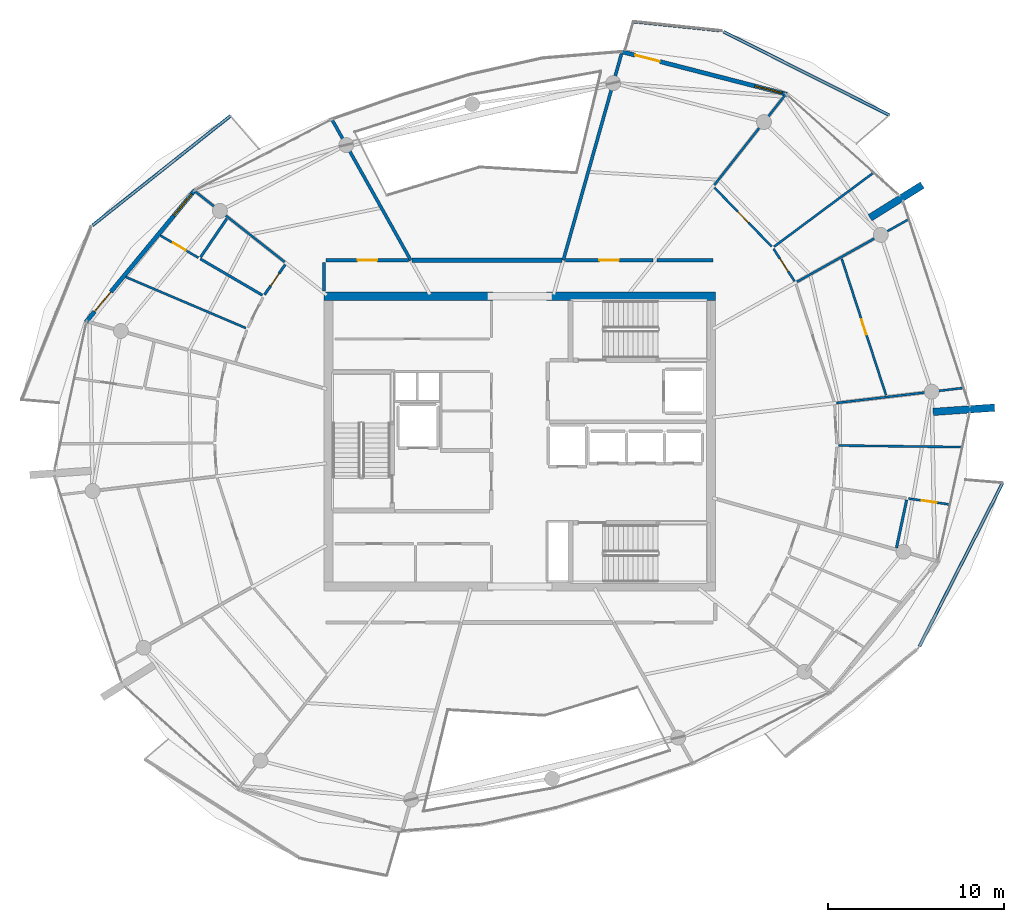
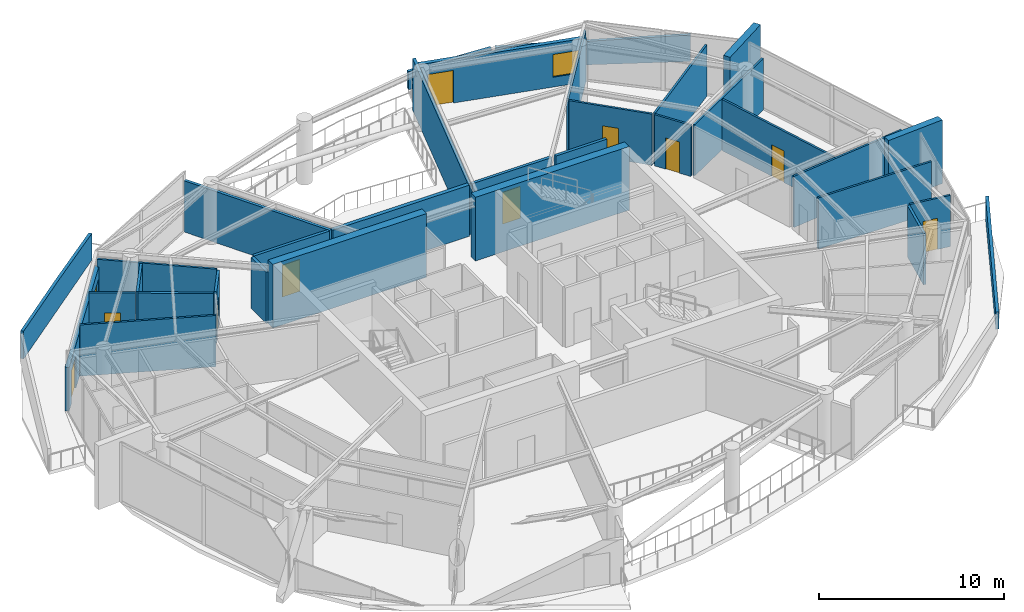
# One storey, part 16 of 22: 33 walls, 10 doors, 2 windows, 12 openings.
"""IFC4 building model written with IfcOpenShell, lengths in metres."""

from ifc_helpers import new_model, si_unit, direction, frame, frame_2d, origin, place, context, subcontext, project, spatial, polyline, rectangle, outline, extrude, material, layer, layer_set, type_object, element, fill, save


model = new_model("IFC4")

# Units and contexts
model_context = context("Model", 3, precision=1e-05, world=origin(), true_north=direction((0.0, 1.0)))
body_context = subcontext(model_context, "Body", "Model", "MODEL_VIEW")
ifc_project = project(units=[si_unit("LENGTHUNIT", "METRE"), si_unit("AREAUNIT", "SQUARE_METRE"), si_unit("VOLUMEUNIT", "CUBIC_METRE"), si_unit("PLANEANGLEUNIT", "RADIAN"), si_unit("MASSUNIT", "GRAM", prefix="KILO")], contexts=[model_context])

# Site, building, storey
site_placement = place(None, origin())
site = spatial("IfcSite", under=ifc_project, at=site_placement, CompositionType="ELEMENT")
building_placement = place(site_placement, origin())
building = spatial("IfcBuilding", under=site, at=building_placement, Name="Kazma Halo Residences", CompositionType="ELEMENT")
storey_placement = place(building_placement, frame((0.0, 0.0, 330.5)))
storey = spatial("IfcBuildingStorey", under=building, at=storey_placement, Name="L83", CompositionType="ELEMENT", Elevation=330.5)

# Walls
ifc_material_1 = material(Name="White Concrete C50/60 Balustrade", Category="concrete")
ifc_layer_1 = layer(ifc_material_1, 0.179931640625)
ifc_layer_set_1 = layer_set([ifc_layer_1], Name="White Concrete C50/60 Balustrade")
wall_type_1 = type_object("IfcWallType", Name="WL-BAL-WAVE-180", PredefinedType="PARAPET", material=ifc_layer_set_1)
wall_1_placement = place(storey_placement, frame((69.452880859375, 60.550537109375, 0.0), z_axis=(0.0, 0.0, 1.0), x_axis=(-0.893288240785, 0.449484281009, 0.0)))
element("IfcWall", 1, at=wall_1_placement, inside=storey, type_object=wall_type_1, Name="L83 white wave balustrade wall NE.1", PredefinedType="PARAPET", context=body_context, shape_type="SweptSolid", body=[
    extrude(outline(polyline([(0.0, 0.0), (10.572998046875, 0.0), (10.572998046875, 1.347900390625), (5.28662109375, 1.56201171875), (0.0, 1.7470703125), (0.0, 0.0)])), frame((0.0, 0.08984375, 0.0), z_axis=(0.0, -1.0, 0.0), x_axis=(1.0, 0.0, 0.0)), (0.0, 0.0, 1.0), 0.179931640625),
])
wall_2_placement = place(storey_placement, frame((59.781494140625, 65.369140625, 0.0), z_axis=(0.0, 0.0, 1.0), x_axis=(-0.994708430161, 0.102738205971, 0.0)))
element("IfcWall", 2, at=wall_2_placement, inside=storey, type_object=wall_type_1, Name="L83 white wave balustrade wall NE.2", PredefinedType="PARAPET", context=body_context, shape_type="SweptSolid", body=[
    extrude(outline(polyline([(0.0, 0.0), (4.916748046875, 0.0), (4.91650390625, 1.18603515625), (0.0, 1.347900390625), (0.0, 0.0)])), frame((0.0, 0.08984375, 0.0), z_axis=(0.0, -1.0, 0.0), x_axis=(1.0, 0.0, 0.0)), (0.0, 0.0, 1.0), 0.179931640625),
])
wall_3_placement = place(storey_placement, frame((31.988037109375, 60.517333984375, 0.0), z_axis=(0.0, 0.0, 1.0), x_axis=(-0.78337055778, -0.621554960727, 0.0)))
element("IfcWall", 3, at=wall_3_placement, inside=storey, type_object=wall_type_1, Name="L83 white wave balustrade wall NW.1", PredefinedType="PARAPET", context=body_context, shape_type="SweptSolid", body=[
    extrude(outline(polyline([(0.0, 0.0), (10.02880859375, 0.0), (10.02880859375, 1.83203125), (5.014404296875, 1.85302734375), (0.0, 1.756103515625), (0.0, 0.0)])), frame((0.0, 0.08984375, 0.0), z_axis=(0.0, -1.0, 0.0), x_axis=(1.0, 0.0, 0.0)), (0.0, 0.0, 1.0), 0.179931640625),
])
wall_4_placement = place(storey_placement, frame((71.160400390625, 30.333984375, 0.0), z_axis=(0.0, 0.0, 1.0), x_axis=(0.453352558269, 0.891331284041, 0.0)))
element("IfcWall", 4, at=wall_4_placement, inside=storey, type_object=wall_type_1, Name="L83 white wave balustrade wall SE.2", PredefinedType="PARAPET", context=body_context, shape_type="SweptSolid", body=[
    extrude(outline(polyline([(0.0, 0.0), (10.433349609375, 0.0), (10.433349609375, 1.48291015625), (5.216552734375, 1.283935546875), (0.0, 1.14794921875), (0.0, 0.0)])), frame((0.0, 0.08984375, 0.0), z_axis=(0.0, -1.0, 0.0), x_axis=(1.0, 0.0, 0.0)), (0.0, 0.0, 1.0), 0.179931640625),
])
ifc_material_2 = material(Name="Pale Concrete C60/75", Category="concrete")
ifc_layer_2 = layer(ifc_material_2, 0.419921875)
ifc_layer_set_2 = layer_set([ifc_layer_2], Name="Pale Concrete C60/75")
wall_type_2 = type_object("IfcWallType", Name="WL-BLADE-420", PredefinedType="SOLIDWALL", material=ifc_layer_set_2)
for number, where, z_axis, x_axis, name in (
    (5, (68.3525390625, 54.7177734375, 0.0), (0.0, 0.0, 1.0), (0.848053161125, 0.529911158502, 0.0), "L83 pale concrete structural blade fin wall BW-01"),
    (6, (71.94091796875, 43.674072265625, 0.0), (0.0, 0.0, 1.0), (0.997564163539, 0.069754853754, 0.0), "L83 pale concrete structural blade fin wall BW-04"),
):
    element("IfcWall", number, at=place(storey_placement, frame(where, z_axis=z_axis, x_axis=x_axis)), inside=storey, type_object=wall_type_2, Name=name, PredefinedType="SOLIDWALL", context=body_context, shape_type="SweptSolid", body=[
        extrude(rectangle(XDim=3.5, YDim=0.419921875, at=frame_2d((1.75, 0.0))), origin(), (0.0, 0.0, 1.0), 4.199951171875),
    ])
ifc_material_3 = material(Name="Concrete C60/75", Category="concrete")
ifc_layer_3 = layer(ifc_material_3, 0.5)
ifc_layer_set_3 = layer_set([ifc_layer_3], Name="Concrete C60/75")
wall_type_3 = type_object("IfcWallType", Name="WL-CORE-500", PredefinedType="SHEAR", material=ifc_layer_set_3)
wall_5_placement = place(storey_placement, frame((37.300048828125, 50.25, 0.0), z_axis=(0.0, 0.0, 1.0), x_axis=(1.0, 0.0, 0.0)))
element("IfcWall", 7, at=wall_5_placement, inside=storey, type_object=wall_type_3, Name="L83 central core shear wall NW", PredefinedType="SHEAR", context=body_context, shape_type="SweptSolid", body=[
    extrude(rectangle(XDim=9.599853515625, YDim=0.5, at=frame_2d((4.7998046875, 0.0))), origin(), (0.0, 0.0, 1.0), 4.199951171875),
])
wall_6_placement = place(storey_placement, frame((49.949951171875, 50.25, 0.0), z_axis=(0.0, 0.0, 1.0), x_axis=(1.0, 0.0, 0.0)))
element("IfcWall", 8, at=wall_6_placement, inside=storey, type_object=wall_type_3, Name="L83 central core shear wall NE", PredefinedType="SHEAR", context=body_context, shape_type="SweptSolid", body=[
    extrude(rectangle(XDim=9.60009765625, YDim=0.5, at=frame_2d((4.800048828125, 0.0))), origin(), (0.0, 0.0, 1.0), 4.199951171875),
])
ifc_material_4 = material(Name="Acoustic Twin-Stud Gypsum")
ifc_layer_4 = layer(ifc_material_4, 0.179931640625)
ifc_layer_set_4 = layer_set([ifc_layer_4], Name="Acoustic Twin-Stud Gypsum")
wall_type_4 = type_object("IfcWallType", Name="WL-DEM-180", PredefinedType="PARTITIONING", material=ifc_layer_set_4)
wall_7_placement = place(storey_placement, frame((50.90478515625, 52.300048828125, 0.0), z_axis=(0.0, 0.0, 1.0), x_axis=(0.271453030279, 0.962451688321, 0.0)))
element("IfcWall", 9, at=wall_7_placement, inside=storey, type_object=wall_type_4, Name="L83 apartment demising radial wall 02", PredefinedType="PARTITIONING", context=body_context, shape_type="SweptSolid", body=[
    extrude(rectangle(XDim=12.191162109375, YDim=0.179931640625, at=frame_2d((6.095703125, 0.0))), origin(), (0.0, 0.0, 1.0), 3.3798828125),
])
wall_8_placement = place(storey_placement, frame((42.231689453125, 52.300048828125, 0.0), z_axis=(0.0, 0.0, 1.0), x_axis=(-0.488623665245, 0.872494649704, 0.0)))
element("IfcWall", 10, at=wall_8_placement, inside=storey, type_object=wall_type_4, Name="L83 apartment demising radial wall 04", PredefinedType="PARTITIONING", context=body_context, shape_type="SweptSolid", body=[
    extrude(rectangle(XDim=9.156982421875, YDim=0.179931640625, at=frame_2d((4.57861328125, 0.0))), origin(), (0.0, 0.0, 1.0), 3.3798828125),
])

# Wall, opening, door
wall_9_placement = place(storey_placement, frame((42.11181640625, 52.300048828125, 0.0), z_axis=(0.0, 0.0, 1.0), x_axis=(-1.0, 0.0, 0.0)))
wall_9 = element("IfcWall", 11, at=wall_9_placement, inside=storey, type_object=wall_type_4, Name="L83 Penthouse 1 entrance corridor wall", PredefinedType="PARTITIONING", context=body_context, shape_type="SweptSolid", body=[
    extrude(rectangle(XDim=4.69189453125, YDim=0.179931640625, at=frame_2d((2.345947265625, 0.0))), origin(), (0.0, 0.0, 1.0), 3.3798828125),
])
opening_1_placement = place(wall_9_placement, frame((1.7958984375, 0.0, 0.0)))
opening_1 = element("IfcOpeningElement", 12, at=opening_1_placement, cuts=wall_9, Name="Opening DA-1100", PredefinedType="OPENING", context=body_context, shape_type="SweptSolid", body=[
    extrude(rectangle(XDim=1.10009765625, YDim=2.10009765625, at=frame_2d((0.550048828125, 1.050048828125))), frame((0.0, 0.099853515625, 0.0), z_axis=(0.0, -1.0, 0.0), x_axis=(1.0, 0.0, 0.0)), (0.0, 0.0, 1.0), 0.199951171875),
])
ifc_material_5 = material(Name="Acoustic Walnut Fire Leaf")
door_type_1 = type_object("IfcDoorType", Name="DR-FD60-1100", OperationType="NOTDEFINED", PredefinedType="DOOR", material=ifc_material_5)
door_1_placement = place(opening_1_placement, origin())
door_1 = element("IfcDoor", 13, at=door_1_placement, inside=storey, type_object=door_type_1, Name="L83 Penthouse 1 entrance fire door", OperationType="SINGLE_SWING_LEFT", OverallHeight=2.10009765625, OverallWidth=1.10009765625, PredefinedType="DOOR", context=body_context, shape_type="SweptSolid", body=[
    extrude(rectangle(XDim=1.10009765625, YDim=2.10009765625, at=frame_2d((0.550048828125, 1.050048828125))), frame((0.0, 0.02490234375, 0.0), z_axis=(0.0, -1.0, 0.0), x_axis=(1.0, 0.0, 0.0)), (0.0, 0.0, 1.0), 0.050048828125),
])
fill(opening_1, door_1)

# Wall
wall_10_placement = place(storey_placement, frame((37.300048828125, 52.179931640625, 0.0), z_axis=(0.0, 0.0, 1.0), x_axis=(0.0, -1.0, 0.0)))
element("IfcWall", 14, at=wall_10_placement, inside=storey, type_object=wall_type_4, Name="L83 Penthouse 1 entrance corridor wall", PredefinedType="PARTITIONING", context=body_context, shape_type="SweptSolid", body=[
    extrude(rectangle(XDim=1.624755859375, YDim=0.179931640625, at=frame_2d((0.8125, 0.0))), origin(), (0.0, 0.0, 1.0), 3.3798828125),
])

# Wall, opening, door
wall_11_placement = place(storey_placement, frame((56.0, 52.300048828125, 0.0), z_axis=(0.0, 0.0, 1.0), x_axis=(-1.0, 0.0, 0.0)))
wall_11 = element("IfcWall", 15, at=wall_11_placement, inside=storey, type_object=wall_type_4, Name="L83 Penthouse 4 entrance corridor wall", PredefinedType="PARTITIONING", context=body_context, shape_type="SweptSolid", body=[
    extrude(rectangle(XDim=4.97509765625, YDim=0.179931640625, at=frame_2d((2.487548828125, 0.0))), origin(), (0.0, 0.0, 1.0), 3.3798828125),
])
opening_2_placement = place(wall_11_placement, frame((1.9375, 0.0, 0.0)))
opening_2 = element("IfcOpeningElement", 16, at=opening_2_placement, cuts=wall_11, Name="Opening DA-1100", PredefinedType="OPENING", context=body_context, shape_type="SweptSolid", body=[
    extrude(rectangle(XDim=1.10009765625, YDim=2.10009765625, at=frame_2d((0.550048828125, 1.050048828125))), frame((0.0, 0.099853515625, 0.0), z_axis=(0.0, -1.0, 0.0), x_axis=(1.0, 0.0, 0.0)), (0.0, 0.0, 1.0), 0.199951171875),
])
door_2_placement = place(opening_2_placement, origin())
door_2 = element("IfcDoor", 17, at=door_2_placement, inside=storey, type_object=door_type_1, Name="L83 Penthouse 4 entrance fire door", OperationType="SINGLE_SWING_RIGHT", OverallHeight=2.10009765625, OverallWidth=1.10009765625, PredefinedType="DOOR", context=body_context, shape_type="SweptSolid", body=[
    extrude(rectangle(XDim=1.10009765625, YDim=2.10009765625, at=frame_2d((0.550048828125, 1.050048828125))), frame((0.0, 0.02490234375, 0.0), z_axis=(0.0, -1.0, 0.0), x_axis=(1.0, 0.0, 0.0)), (0.0, 0.0, 1.0), 0.050048828125),
])
fill(opening_2, door_2)

# Wall
wall_12_placement = place(storey_placement, frame((59.429931640625, 52.300048828125, 0.0), z_axis=(0.0, 0.0, 1.0), x_axis=(-1.0, 0.0, 0.0)))
element("IfcWall", 18, at=wall_12_placement, inside=storey, type_object=wall_type_4, Name="L83 Penthouse 4 inner wall 0", PredefinedType="PARTITIONING", context=body_context, shape_type="SweptSolid", body=[
    extrude(rectangle(XDim=3.18994140625, YDim=0.179931640625, at=frame_2d((1.594970703125, 0.0))), origin(), (0.0, 0.0, 1.0), 3.3798828125),
])

# Wall, openings, door, window
ifc_material_6 = material(Name="Insulated Pale-Metal Composite Wall")
ifc_layer_5 = layer(ifc_material_6, 0.239990234375)
ifc_layer_set_5 = layer_set([ifc_layer_5], Name="Insulated Pale-Metal Composite Wall")
wall_type_5 = type_object("IfcWallType", Name="WL-EXT-HOST-240", PredefinedType="SOLIDWALL", material=ifc_layer_set_5)
wall_13_placement = place(storey_placement, frame((63.619873046875, 61.73974609375, 0.0), z_axis=(0.0, 0.0, 1.0), x_axis=(-0.968389062354, 0.249444630957, 0.0)))
wall_13 = element("IfcWall", 19, at=wall_13_placement, inside=storey, type_object=wall_type_5, Name="L83 exterior terrace-access wall B02", PredefinedType="SOLIDWALL", context=body_context, shape_type="SweptSolid", body=[
    extrude(rectangle(XDim=9.677734375, YDim=0.239990234375, at=frame_2d((4.8388671875, 0.0))), origin(), (0.0, 0.0, 1.0), 2.889892578125),
])
opening_3_placement = place(wall_13_placement, frame((7.457763671875, 0.0, 0.0)))
opening_3 = element("IfcOpeningElement", 20, at=opening_3_placement, cuts=wall_13, Name="Opening DTR-1600", PredefinedType="OPENING", context=body_context, shape_type="SweptSolid", body=[
    extrude(rectangle(XDim=1.449951171875, YDim=2.14990234375, at=frame_2d((0.72509765625, 1.074951171875))), frame((0.0, 0.1298828125, 0.0), z_axis=(0.0, -1.0, 0.0), x_axis=(1.0, 0.0, 0.0)), (0.0, 0.0, 1.0), 0.260009765625),
])
opening_4_placement = place(wall_13_placement, frame((0.280029296875, 0.0, 0.64990234375)))
opening_4 = element("IfcOpeningElement", 21, at=opening_4_placement, cuts=wall_13, Name="Opening W-1800", PredefinedType="OPENING", context=body_context, shape_type="SweptSolid", body=[
    extrude(rectangle(XDim=1.60009765625, YDim=1.5, at=frame_2d((0.800048828125, 0.75))), frame((0.0, 0.1298828125, 0.0), z_axis=(0.0, -1.0, 0.0), x_axis=(1.0, 0.0, 0.0)), (0.0, 0.0, 1.0), 0.260009765625),
])
ifc_material_7 = material(Name="Aluminium AW-6063 T6 Double-Glazed Terrace Door", Category="aluminium")
door_type_2 = type_object("IfcDoorType", Name="DR-EXT-TERR-1600", OperationType="NOTDEFINED", PredefinedType="DOOR", material=ifc_material_7)
door_3_placement = place(opening_3_placement, origin())
door_3 = element("IfcDoor", 22, at=door_3_placement, inside=storey, type_object=door_type_2, Name="L83 B02 balcony terrace door", OperationType="DOUBLE_DOOR_SLIDING", OverallHeight=2.14990234375, OverallWidth=1.449951171875, PredefinedType="DOOR", context=body_context, shape_type="SweptSolid", body=[
    extrude(rectangle(XDim=1.449951171875, YDim=2.14990234375, at=frame_2d((0.72509765625, 1.074951171875))), frame((0.0, 0.02490234375, 0.0), z_axis=(0.0, -1.0, 0.0), x_axis=(1.0, 0.0, 0.0)), (0.0, 0.0, 1.0), 0.050048828125),
])
fill(opening_3, door_3)
ifc_material_8 = material(Name="Clear Triple-Silver Low-E Glass in Aluminium AW-6063 T6 Frame", Category="aluminium")
window_type = type_object("IfcWindowType", Name="WIN-RES-1800", PartitioningType="DOUBLE_PANEL_VERTICAL", PredefinedType="WINDOW", material=ifc_material_8)
window_1_placement = place(opening_4_placement, origin())
window_1 = element("IfcWindow", 23, at=window_1_placement, inside=storey, type_object=window_type, Name="L83 B02 apartment window", OverallHeight=1.5, OverallWidth=1.60009765625, PartitioningType="SINGLE_PANEL", PredefinedType="WINDOW", context=body_context, shape_type="SweptSolid", body=[
    extrude(rectangle(XDim=1.60009765625, YDim=1.5, at=frame_2d((0.800048828125, 0.75))), frame((0.0, 0.030029296875, 0.0), z_axis=(0.0, -1.0, 0.0), x_axis=(1.0, 0.0, 0.0)), (0.0, 0.0, 1.0), 0.06005859375),
])
fill(opening_4, window_1)

wall_14_placement = place(storey_placement, frame((29.955322265625, 56.288818359375, 0.0), z_axis=(0.0, 0.0, 1.0), x_axis=(-0.636803612721, -0.771026042897, 0.0)))
wall_14 = element("IfcWall", 24, at=wall_14_placement, inside=storey, type_object=wall_type_5, Name="L83 exterior terrace-access wall B06", PredefinedType="SOLIDWALL", context=body_context, shape_type="SweptSolid", body=[
    extrude(rectangle(XDim=9.7275390625, YDim=0.239990234375, at=frame_2d((4.86376953125, 0.0))), origin(), (0.0, 0.0, 1.0), 2.889892578125),
])
opening_5_placement = place(wall_14_placement, frame((7.5078125, 0.0, 0.0)))
opening_5 = element("IfcOpeningElement", 25, at=opening_5_placement, cuts=wall_14, Name="Opening DTR-1600", PredefinedType="OPENING", context=body_context, shape_type="SweptSolid", body=[
    extrude(rectangle(XDim=1.449951171875, YDim=2.14990234375, at=frame_2d((0.72509765625, 1.074951171875))), frame((0.0, 0.1298828125, 0.0), z_axis=(0.0, -1.0, 0.0), x_axis=(1.0, 0.0, 0.0)), (0.0, 0.0, 1.0), 0.260009765625),
])
opening_6_placement = place(wall_14_placement, frame((0.280029296875, 0.0, 0.64990234375)))
opening_6 = element("IfcOpeningElement", 26, at=opening_6_placement, cuts=wall_14, Name="Opening W-1800", PredefinedType="OPENING", context=body_context, shape_type="SweptSolid", body=[
    extrude(rectangle(XDim=1.60009765625, YDim=1.5, at=frame_2d((0.800048828125, 0.75))), frame((0.0, 0.1298828125, 0.0), z_axis=(0.0, -1.0, 0.0), x_axis=(1.0, 0.0, 0.0)), (0.0, 0.0, 1.0), 0.260009765625),
])
door_4_placement = place(opening_5_placement, origin())
door_4 = element("IfcDoor", 27, at=door_4_placement, inside=storey, type_object=door_type_2, Name="L83 B06 balcony terrace door", OperationType="DOUBLE_DOOR_SLIDING", OverallHeight=2.14990234375, OverallWidth=1.449951171875, PredefinedType="DOOR", context=body_context, shape_type="SweptSolid", body=[
    extrude(rectangle(XDim=1.449951171875, YDim=2.14990234375, at=frame_2d((0.72509765625, 1.074951171875))), frame((0.0, 0.02490234375, 0.0), z_axis=(0.0, -1.0, 0.0), x_axis=(1.0, 0.0, 0.0)), (0.0, 0.0, 1.0), 0.050048828125),
])
fill(opening_5, door_4)
window_2_placement = place(opening_6_placement, origin())
window_2 = element("IfcWindow", 28, at=window_2_placement, inside=storey, type_object=window_type, Name="L83 B06 apartment window", OverallHeight=1.5, OverallWidth=1.60009765625, PartitioningType="SINGLE_PANEL", PredefinedType="WINDOW", context=body_context, shape_type="SweptSolid", body=[
    extrude(rectangle(XDim=1.60009765625, YDim=1.5, at=frame_2d((0.800048828125, 0.75))), frame((0.0, 0.030029296875, 0.0), z_axis=(0.0, -1.0, 0.0), x_axis=(1.0, 0.0, 0.0)), (0.0, 0.0, 1.0), 0.06005859375),
])
fill(opening_6, window_2)

# Walls
wall_15_placement = place(storey_placement, frame((50.8349609375, 52.300048828125, 0.0), z_axis=(0.0, 0.0, 1.0), x_axis=(-1.0, 0.0, 0.0)))
element("IfcWall", 29, at=wall_15_placement, inside=storey, type_object=wall_type_5, Name="L83 wind-portal core closure wall", PredefinedType="SOLIDWALL", context=body_context, shape_type="SweptSolid", body=[
    extrude(rectangle(XDim=8.533203125, YDim=0.239990234375, at=frame_2d((4.2666015625, 0.0))), origin(), (0.0, 0.0, 1.0), 3.3798828125),
])
ifc_material_9 = material(Name="Gypsum Plasterboard Partition")
ifc_layer_6 = layer(ifc_material_9, 0.125)
ifc_layer_set_6 = layer_set([ifc_layer_6], Name="Gypsum Plasterboard Partition")
wall_type_6 = type_object("IfcWallType", Name="WL-PART-125", PredefinedType="PARTITIONING", material=ifc_layer_set_6)
wall_16_placement = place(storey_placement, frame((35.064208984375, 52.19775390625, 0.0), z_axis=(0.0, 0.0, 1.0), x_axis=(-0.785319571145, 0.619090600136, 0.0)))
element("IfcWall", 30, at=wall_16_placement, inside=storey, type_object=wall_type_6, Name="L83 Penthouse 1 radial partition 5", PredefinedType="PARTITIONING", context=body_context, shape_type="SweptSolid", body=[
    extrude(rectangle(XDim=6.52099609375, YDim=0.125, at=frame_2d((3.260498046875, 0.0))), origin(), (0.0, 0.0, 1.0), 3.3798828125),
])

# Wall, opening, door
wall_17_placement = place(storey_placement, frame((30.148681640625, 52.44384765625, 0.0), z_axis=(0.0, 0.0, 1.0), x_axis=(-0.863096282512, 0.505039411446, 0.0)))
wall_17 = element("IfcWall", 31, at=wall_17_placement, inside=storey, type_object=wall_type_6, Name="L83 Penthouse 1 Utility Laundry Room partition wall", PredefinedType="PARTITIONING", context=body_context, shape_type="SweptSolid", body=[
    extrude(rectangle(XDim=2.506591796875, YDim=0.125, at=frame_2d((1.25341796875, 0.0))), origin(), (0.0, 0.0, 1.0), 3.3798828125),
])
opening_7_placement = place(wall_17_placement, frame((0.828369140625, 0.0, 0.0)))
opening_7 = element("IfcOpeningElement", 32, at=opening_7_placement, cuts=wall_17, Name="Opening DB-900", PredefinedType="OPENING", context=body_context, shape_type="SweptSolid", body=[
    extrude(rectangle(XDim=0.85009765625, YDim=2.06005859375, at=frame_2d((0.425048828125, 1.030029296875))), frame((0.0, 0.072509765625, 0.0), z_axis=(0.0, -1.0, 0.0), x_axis=(1.0, 0.0, 0.0)), (0.0, 0.0, 1.0), 0.14501953125),
])
ifc_material_10 = material(Name="Moisture-Sealed Timber Leaf", Category="wood")
door_type_3 = type_object("IfcDoorType", Name="DR-BTH-900", OperationType="NOTDEFINED", PredefinedType="DOOR", material=ifc_material_10)
door_5_placement = place(opening_7_placement, origin())
door_5 = element("IfcDoor", 33, at=door_5_placement, inside=storey, type_object=door_type_3, Name="L83 Penthouse 1 Utility Laundry Room door", OperationType="SINGLE_SWING_RIGHT", OverallHeight=2.06005859375, OverallWidth=0.85009765625, PredefinedType="DOOR", context=body_context, shape_type="SweptSolid", body=[
    extrude(rectangle(XDim=0.85009765625, YDim=2.06005859375, at=frame_2d((0.425048828125, 1.030029296875))), frame((0.0, 0.02490234375, 0.0), z_axis=(0.0, -1.0, 0.0), x_axis=(1.0, 0.0, 0.0)), (0.0, 0.0, 1.0), 0.050048828125),
])
fill(opening_7, door_5)

# Wall
wall_18_placement = place(storey_placement, frame((32.851318359375, 48.44287109375, 0.0), z_axis=(0.0, 0.0, 1.0), x_axis=(-0.92023815321, 0.391358839655, 0.0)))
element("IfcWall", 34, at=wall_18_placement, inside=storey, type_object=wall_type_6, Name="L83 Penthouse 1 suite divider 5", PredefinedType="PARTITIONING", context=body_context, shape_type="SweptSolid", body=[
    extrude(rectangle(XDim=7.41552734375, YDim=0.125, at=frame_2d((3.707763671875, 0.0))), origin(), (0.0, 0.0, 1.0), 3.3798828125),
])

# Wall, opening, door
wall_19_placement = place(storey_placement, frame((70.54248046875, 38.74658203125, 0.0), z_axis=(0.0, 0.0, 1.0), x_axis=(0.989739260165, -0.14288525777, 0.0)))
wall_19 = element("IfcWall", 35, at=wall_19_placement, inside=storey, type_object=wall_type_6, Name="L83 Penthouse 4 Household Store Room partition wall", PredefinedType="PARTITIONING", context=body_context, shape_type="SweptSolid", body=[
    extrude(rectangle(XDim=2.35791015625, YDim=0.125, at=frame_2d((1.178955078125, 0.0))), origin(), (0.0, 0.0, 1.0), 3.3798828125),
])
opening_8_placement = place(wall_19_placement, frame((0.75390625, 0.0, 0.0)))
opening_8 = element("IfcOpeningElement", 36, at=opening_8_placement, cuts=wall_19, Name="Opening DB-900", PredefinedType="OPENING", context=body_context, shape_type="SweptSolid", body=[
    extrude(rectangle(XDim=0.85009765625, YDim=2.06005859375, at=frame_2d((0.425048828125, 1.030029296875))), frame((0.0, 0.072509765625, 0.0), z_axis=(0.0, -1.0, 0.0), x_axis=(1.0, 0.0, 0.0)), (0.0, 0.0, 1.0), 0.14501953125),
])
door_6_placement = place(opening_8_placement, origin())
door_6 = element("IfcDoor", 37, at=door_6_placement, inside=storey, type_object=door_type_3, Name="L83 Penthouse 4 Household Store Room door", OperationType="SINGLE_SWING_LEFT", OverallHeight=2.06005859375, OverallWidth=0.85009765625, PredefinedType="DOOR", context=body_context, shape_type="SweptSolid", body=[
    extrude(rectangle(XDim=0.85009765625, YDim=2.06005859375, at=frame_2d((0.425048828125, 1.030029296875))), frame((0.0, 0.02490234375, 0.0), z_axis=(0.0, -1.0, 0.0), x_axis=(1.0, 0.0, 0.0)), (0.0, 0.0, 1.0), 0.050048828125),
])
fill(opening_8, door_6)

# Walls
wall_20_placement = place(storey_placement, frame((66.554443359375, 41.76318359375, 0.0), z_axis=(0.0, 0.0, 1.0), x_axis=(0.999918613841, -0.012757965905, 0.0)))
element("IfcWall", 38, at=wall_20_placement, inside=storey, type_object=wall_type_6, Name="L83 Penthouse 4 suite divider 14", PredefinedType="PARTITIONING", context=body_context, shape_type="SweptSolid", body=[
    extrude(rectangle(XDim=7.02294921875, YDim=0.125, at=frame_2d((3.511474609375, 0.0))), origin(), (0.0, 0.0, 1.0), 3.3798828125),
])
wall_21_placement = place(storey_placement, frame((66.437255859375, 44.18212890625, 0.0), z_axis=(0.0, 0.0, 1.0), x_axis=(0.993068294254, 0.117538772104, 0.0)))
element("IfcWall", 39, at=wall_21_placement, inside=storey, type_object=wall_type_6, Name="L83 Penthouse 4 radial partition 15", PredefinedType="PARTITIONING", context=body_context, shape_type="SweptSolid", body=[
    extrude(rectangle(XDim=7.269775390625, YDim=0.125, at=frame_2d((3.634765625, 0.0))), origin(), (0.0, 0.0, 1.0), 3.3798828125),
])

# Wall, opening, door
wall_22_placement = place(storey_placement, frame((69.262451171875, 44.625244140625, 0.0), z_axis=(0.0, 0.0, 1.0), x_axis=(-0.309035931503, 0.951050363041, 0.0)))
wall_22 = element("IfcWall", 40, at=wall_22_placement, inside=storey, type_object=wall_type_6, Name="L83 Penthouse 4 Secondary Master Bedroom divider wall", PredefinedType="PARTITIONING", context=body_context, shape_type="SweptSolid", body=[
    extrude(rectangle(XDim=8.1474609375, YDim=0.125, at=frame_2d((4.07373046875, 0.0))), origin(), (0.0, 0.0, 1.0), 3.3798828125),
])
opening_9_placement = place(wall_22_placement, frame((3.623779296875, 0.0, 0.0)))
opening_9 = element("IfcOpeningElement", 41, at=opening_9_placement, cuts=wall_22, Name="Opening DI-950", PredefinedType="OPENING", context=body_context, shape_type="SweptSolid", body=[
    extrude(rectangle(XDim=0.89990234375, YDim=2.080078125, at=frame_2d((0.449951171875, 1.0400390625))), frame((0.0, 0.072509765625, 0.0), z_axis=(0.0, -1.0, 0.0), x_axis=(1.0, 0.0, 0.0)), (0.0, 0.0, 1.0), 0.14501953125),
])
ifc_material_11 = material(Name="Timber Veneer Flush Leaf", Category="wood")
door_type_4 = type_object("IfcDoorType", Name="DR-INT-950", OperationType="NOTDEFINED", PredefinedType="DOOR", material=ifc_material_11)
door_7_placement = place(opening_9_placement, origin())
door_7 = element("IfcDoor", 42, at=door_7_placement, inside=storey, type_object=door_type_4, Name="L83 Penthouse 4 Secondary Master Bedroom door", OperationType="SINGLE_SWING_RIGHT", OverallHeight=2.080078125, OverallWidth=0.89990234375, PredefinedType="DOOR", context=body_context, shape_type="SweptSolid", body=[
    extrude(rectangle(XDim=0.89990234375, YDim=2.080078125, at=frame_2d((0.449951171875, 1.0400390625))), frame((0.0, 0.02490234375, 0.0), z_axis=(0.0, -1.0, 0.0), x_axis=(1.0, 0.0, 0.0)), (0.0, 0.0, 1.0), 0.050048828125),
])
fill(opening_9, door_7)

# Walls
wall_23_placement = place(storey_placement, frame((64.19873046875, 51.07177734375, 0.0), z_axis=(0.0, 0.0, 1.0), x_axis=(0.87250315253, 0.488608482146, 0.0)))
element("IfcWall", 43, at=wall_23_placement, inside=storey, type_object=wall_type_6, Name="L83 Penthouse 4 radial partition 0", PredefinedType="PARTITIONING", context=body_context, shape_type="SweptSolid", body=[
    extrude(rectangle(XDim=7.26953125, YDim=0.125, at=frame_2d((3.634765625, 0.0))), origin(), (0.0, 0.0, 1.0), 3.3798828125),
])
wall_24_placement = place(storey_placement, frame((59.494140625, 56.580078125, 0.0), z_axis=(0.0, 0.0, 1.0), x_axis=(0.619074661851, 0.785332135503, 0.0)))
element("IfcWall", 44, at=wall_24_placement, inside=storey, type_object=wall_type_6, Name="L83 Penthouse 4 living radial partition 0", PredefinedType="PARTITIONING", context=body_context, shape_type="SweptSolid", body=[
    extrude(rectangle(XDim=6.56103515625, YDim=0.125, at=frame_2d((3.280517578125, 0.0))), origin(), (0.0, 0.0, 1.0), 3.3798828125),
])
wall_25_placement = place(storey_placement, frame((62.891357421875, 53.0712890625, 0.0), z_axis=(0.0, 0.0, 1.0), x_axis=(0.802496866104, 0.596656333154, 0.0)))
element("IfcWall", 45, at=wall_25_placement, inside=storey, type_object=wall_type_6, Name="L83 Penthouse 4 mid-bay wall 0", PredefinedType="PARTITIONING", context=body_context, shape_type="SweptSolid", body=[
    extrude(rectangle(XDim=7.0322265625, YDim=0.125, at=frame_2d((3.51611328125, 0.0))), origin(), (0.0, 0.0, 1.0), 3.3798828125),
])

# Wall, opening, door
wall_26_placement = place(storey_placement, frame((64.05712890625, 51.106689453125, 0.0), z_axis=(0.0, 0.0, 1.0), x_axis=(-0.543753429113, 0.83924502282, 0.0)))
wall_26 = element("IfcWall", 46, at=wall_26_placement, inside=storey, type_object=wall_type_6, Name="L83 Penthouse 4 East Wine Pantry Store hall wall", PredefinedType="PARTITIONING", context=body_context, shape_type="SweptSolid", body=[
    extrude(rectangle(XDim=2.197021484375, YDim=0.125, at=frame_2d((1.0986328125, 0.0))), origin(), (0.0, 0.0, 1.0), 3.3798828125),
])
opening_10_placement = place(wall_26_placement, frame((0.67333984375, 0.0, 0.0)))
opening_10 = element("IfcOpeningElement", 47, at=opening_10_placement, cuts=wall_26, Name="Opening DB-900", PredefinedType="OPENING", context=body_context, shape_type="SweptSolid", body=[
    extrude(rectangle(XDim=0.85009765625, YDim=2.06005859375, at=frame_2d((0.425048828125, 1.030029296875))), frame((0.0, 0.072509765625, 0.0), z_axis=(0.0, -1.0, 0.0), x_axis=(1.0, 0.0, 0.0)), (0.0, 0.0, 1.0), 0.14501953125),
])
door_8_placement = place(opening_10_placement, origin())
door_8 = element("IfcDoor", 48, at=door_8_placement, inside=storey, type_object=door_type_3, Name="L83 Penthouse 4 East Wine Pantry Store door", OperationType="SINGLE_SWING_RIGHT", OverallHeight=2.06005859375, OverallWidth=0.85009765625, PredefinedType="DOOR", context=body_context, shape_type="SweptSolid", body=[
    extrude(rectangle(XDim=0.85009765625, YDim=2.06005859375, at=frame_2d((0.425048828125, 1.030029296875))), frame((0.0, 0.02490234375, 0.0), z_axis=(0.0, -1.0, 0.0), x_axis=(1.0, 0.0, 0.0)), (0.0, 0.0, 1.0), 0.050048828125),
])
fill(opening_10, door_8)

wall_27_placement = place(storey_placement, frame((62.76318359375, 53.074951171875, 0.0), z_axis=(0.0, 0.0, 1.0), x_axis=(-0.69701729014, 0.717054319592, 0.0)))
wall_27 = element("IfcWall", 49, at=wall_27_placement, inside=storey, type_object=wall_type_6, Name="L83 Penthouse 4 West Formal Dining Room hall wall", PredefinedType="PARTITIONING", context=body_context, shape_type="SweptSolid", body=[
    extrude(rectangle(XDim=4.678955078125, YDim=0.125, at=frame_2d((2.33935546875, 0.0))), origin(), (0.0, 0.0, 1.0), 3.3798828125),
])
opening_11_placement = place(wall_27_placement, frame((1.889404296875, 0.0, 0.0)))
opening_11 = element("IfcOpeningElement", 50, at=opening_11_placement, cuts=wall_27, Name="Opening DI-950", PredefinedType="OPENING", context=body_context, shape_type="SweptSolid", body=[
    extrude(rectangle(XDim=0.89990234375, YDim=2.080078125, at=frame_2d((0.449951171875, 1.0400390625))), frame((0.0, 0.072509765625, 0.0), z_axis=(0.0, -1.0, 0.0), x_axis=(1.0, 0.0, 0.0)), (0.0, 0.0, 1.0), 0.14501953125),
])
door_9_placement = place(opening_11_placement, origin())
door_9 = element("IfcDoor", 51, at=door_9_placement, inside=storey, type_object=door_type_4, Name="L83 Penthouse 4 West Formal Dining Room door", OperationType="SINGLE_SWING_LEFT", OverallHeight=2.080078125, OverallWidth=0.89990234375, PredefinedType="DOOR", context=body_context, shape_type="SweptSolid", body=[
    extrude(rectangle(XDim=0.89990234375, YDim=2.080078125, at=frame_2d((0.449951171875, 1.0400390625))), frame((0.0, 0.02490234375, 0.0), z_axis=(0.0, -1.0, 0.0), x_axis=(1.0, 0.0, 0.0)), (0.0, 0.0, 1.0), 0.050048828125),
])
fill(opening_11, door_9)

ifc_material_12 = material(Name="Moisture-Resistant Gypsum")
ifc_layer_7 = layer(ifc_material_12, 0.14990234375)
ifc_layer_set_7 = layer_set([ifc_layer_7], Name="Moisture-Resistant Gypsum")
wall_type_7 = type_object("IfcWallType", Name="WL-WET-150", PredefinedType="PARTITIONING", material=ifc_layer_set_7)
wall_28_placement = place(storey_placement, frame((35.08642578125, 52.05322265625, 0.0), z_axis=(0.0, 0.0, 1.0), x_axis=(-0.563373395767, -0.826202406763, 0.0)))
wall_28 = element("IfcWall", 52, at=wall_28_placement, inside=storey, type_object=wall_type_7, Name="L83 Penthouse 1 Guest Bathroom hall wall", PredefinedType="PARTITIONING", context=body_context, shape_type="SweptSolid", body=[
    extrude(rectangle(XDim=2.071533203125, YDim=0.14990234375, at=frame_2d((1.03564453125, 0.0))), origin(), (0.0, 0.0, 1.0), 3.3798828125),
])
opening_12_placement = place(wall_28_placement, frame((0.610595703125, 0.0, 0.0)))
opening_12 = element("IfcOpeningElement", 53, at=opening_12_placement, cuts=wall_28, Name="Opening DB-900", PredefinedType="OPENING", context=body_context, shape_type="SweptSolid", body=[
    extrude(rectangle(XDim=0.85009765625, YDim=2.06005859375, at=frame_2d((0.425048828125, 1.030029296875))), frame((0.0, 0.0849609375, 0.0), z_axis=(0.0, -1.0, 0.0), x_axis=(1.0, 0.0, 0.0)), (0.0, 0.0, 1.0), 0.169921875),
])
door_10_placement = place(opening_12_placement, origin())
door_10 = element("IfcDoor", 54, at=door_10_placement, inside=storey, type_object=door_type_3, Name="L83 Penthouse 1 Guest Bathroom door", OperationType="SINGLE_SWING_LEFT", OverallHeight=2.06005859375, OverallWidth=0.85009765625, PredefinedType="DOOR", context=body_context, shape_type="SweptSolid", body=[
    extrude(rectangle(XDim=0.85009765625, YDim=2.06005859375, at=frame_2d((0.425048828125, 1.030029296875))), frame((0.0, 0.02490234375, 0.0), z_axis=(0.0, -1.0, 0.0), x_axis=(1.0, 0.0, 0.0)), (0.0, 0.0, 1.0), 0.050048828125),
])
fill(opening_12, door_10)

# Walls
wall_29_placement = place(storey_placement, frame((31.7724609375, 54.665771484375, 0.0), z_axis=(0.0, 0.0, 1.0), x_axis=(-0.563393907047, -0.826188420097, 0.0)))
element("IfcWall", 55, at=wall_29_placement, inside=storey, type_object=wall_type_7, Name="L83 Penthouse 1 Guest Bathroom back wall", PredefinedType="PARTITIONING", context=body_context, shape_type="SweptSolid", body=[
    extrude(rectangle(XDim=2.654296875, YDim=0.14990234375, at=frame_2d((1.3271484375, 0.0))), origin(), (0.0, 0.0, 1.0), 3.3798828125),
])
wall_30_placement = place(storey_placement, frame((33.791015625, 50.31298828125, 0.0), z_axis=(0.0, 0.0, 1.0), x_axis=(-0.863113475275, 0.505010028413, 0.0)))
element("IfcWall", 56, at=wall_30_placement, inside=storey, type_object=wall_type_7, Name="L83 Penthouse 1 Guest Bathroom side wall", PredefinedType="PARTITIONING", context=body_context, shape_type="SweptSolid", body=[
    extrude(rectangle(XDim=4.08984375, YDim=0.14990234375, at=frame_2d((2.044921875, 0.0))), origin(), (0.0, 0.0, 1.0), 3.3798828125),
])
wall_31_placement = place(storey_placement, frame((69.85498046875, 35.93994140625, 0.0), z_axis=(0.0, 0.0, 1.0), x_axis=(0.207653795029, 0.978202382644, 0.0)))
element("IfcWall", 57, at=wall_31_placement, inside=storey, type_object=wall_type_7, Name="L83 Penthouse 4 Guest Bathroom back wall", PredefinedType="PARTITIONING", context=body_context, shape_type="SweptSolid", body=[
    extrude(rectangle(XDim=2.792236328125, YDim=0.14990234375, at=frame_2d((1.39599609375, 0.0))), origin(), (0.0, 0.0, 1.0), 3.3798828125),
])

save(model, "model.ifc")
